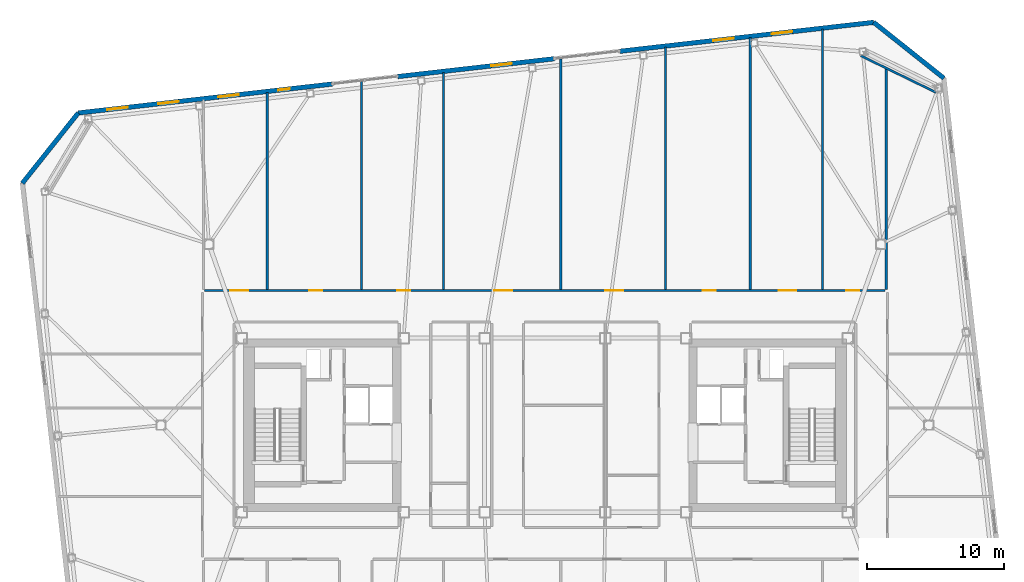
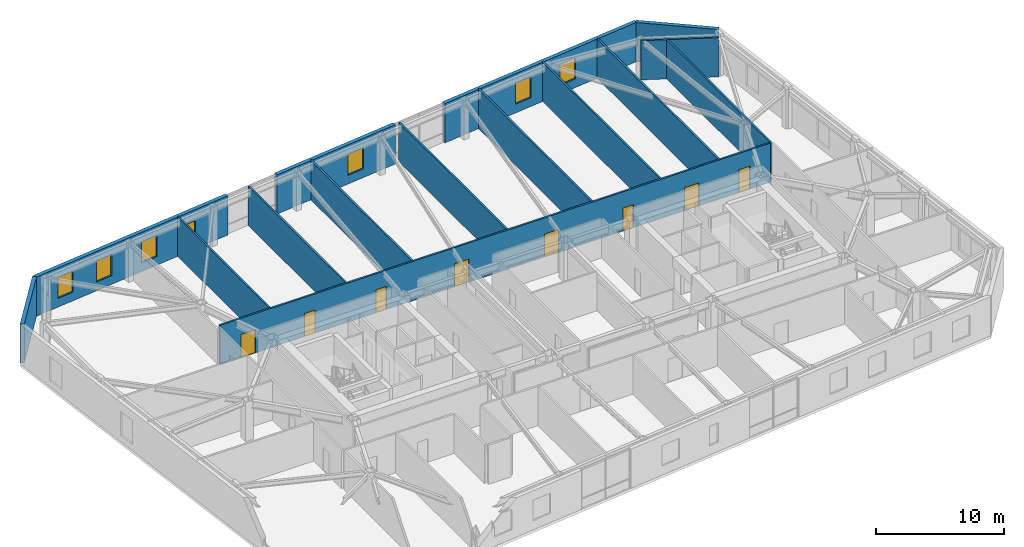
# One storey, part 15 of 19: 15 walls, 8 doors, 7 windows, 15 openings.
"""IFC4 building model written with IfcOpenShell, lengths in metres."""

from ifc_helpers import new_model, si_unit, direction, frame, frame_2d, origin, place, context, subcontext, project, spatial, rectangle, extrude, material, layer, layer_set, type_object, element, fill, save


model = new_model("IFC4")

# Units and contexts
model_context = context("Model", 3, precision=1e-05, world=origin(), true_north=direction((0.0, 1.0)))
body_context = subcontext(model_context, "Body", "Model", "MODEL_VIEW")
ifc_project = project(units=[si_unit("LENGTHUNIT", "METRE"), si_unit("AREAUNIT", "SQUARE_METRE"), si_unit("VOLUMEUNIT", "CUBIC_METRE"), si_unit("PLANEANGLEUNIT", "RADIAN"), si_unit("MASSUNIT", "GRAM", prefix="KILO")], contexts=[model_context])

# Site, building, storey
site_placement = place(None, origin())
site = spatial("IfcSite", under=ifc_project, at=site_placement, CompositionType="ELEMENT")
building_placement = place(site_placement, origin())
building = spatial("IfcBuilding", under=site, at=building_placement, Name="Tavrogorsk Clinical Tower", CompositionType="ELEMENT")
storey_placement = place(building_placement, frame((0.0, 0.0, 255.0)))
storey = spatial("IfcBuildingStorey", under=building, at=storey_placement, Name="L59", CompositionType="ELEMENT", Elevation=255.0)

# Wall
ifc_material_1 = material(Name="Lightweight concrete blockwork B15", Category="masonry")
ifc_layer_1 = layer(ifc_material_1, 0.159912109375)
ifc_layer_set_1 = layer_set([ifc_layer_1], Name="Lightweight concrete blockwork B15")
wall_type_1 = type_object("IfcWallType", Name="PartitionWall_160", PredefinedType="PARTITIONING", material=ifc_layer_set_1)
wall_1_placement = place(storey_placement, frame((28.5283203125, 24.27099609375, 0.0), z_axis=(0.0, 0.0, 1.0), x_axis=(-0.898820692789, 0.438316509173, 0.0)))
element("IfcWall", 1, at=wall_1_placement, inside=storey, type_object=wall_type_1, Name="L59 Corner Exoskeleton Brace Furring Wall 2", PredefinedType="PARTITIONING", context=body_context, shape_type="SweptSolid", body=[
    extrude(rectangle(XDim=6.10693359375, YDim=0.159912109375, at=frame_2d((3.053466796875, 0.0))), origin(), (0.0, 0.0, 1.0), 3.739990234375),
])

# Wall, openings, doors
wall_2_placement = place(storey_placement, frame((-24.81494140625, 9.830078125, 0.0), z_axis=(0.0, 0.0, 1.0), x_axis=(1.0, 0.0, 0.0)))
wall_2 = element("IfcWall", 2, at=wall_2_placement, inside=storey, type_object=wall_type_1, Name="L59 Corridor Partition 02", PredefinedType="PARTITIONING", context=body_context, shape_type="SweptSolid", body=[
    extrude(rectangle(XDim=49.6298828125, YDim=0.159912109375, at=frame_2d((24.81494140625, 0.0))), origin(), (0.0, 0.0, 1.0), 3.739990234375),
])
opening_1_placement = place(wall_2_placement, frame((1.869140625, 0.0, 0.0)))
opening_1 = element("IfcOpeningElement", 3, at=opening_1_placement, cuts=wall_2, Name="Opening ID-01", PredefinedType="OPENING", context=body_context, shape_type="SweptSolid", body=[
    extrude(rectangle(XDim=1.300048828125, YDim=2.199951171875, at=frame_2d((0.64990234375, 1.10009765625))), frame((0.0, 0.08984375, 0.0), z_axis=(0.0, -1.0, 0.0), x_axis=(1.0, 0.0, 0.0)), (0.0, 0.0, 1.0), 0.179931640625),
])
opening_2_placement = place(wall_2_placement, frame((7.612548828125, 0.0, 0.0)))
opening_2 = element("IfcOpeningElement", 4, at=opening_2_placement, cuts=wall_2, Name="Opening ID-02", PredefinedType="OPENING", context=body_context, shape_type="SweptSolid", body=[
    extrude(rectangle(XDim=0.949951171875, YDim=2.199951171875, at=frame_2d((0.47509765625, 1.10009765625))), frame((0.0, 0.08984375, 0.0), z_axis=(0.0, -1.0, 0.0), x_axis=(1.0, 0.0, 0.0)), (0.0, 0.0, 1.0), 0.179931640625),
])
opening_3_placement = place(wall_2_placement, frame((14.03759765625, 0.0, 0.0)))
opening_3 = element("IfcOpeningElement", 5, at=opening_3_placement, cuts=wall_2, Name="Opening ID-02", PredefinedType="OPENING", context=body_context, shape_type="SweptSolid", body=[
    extrude(rectangle(XDim=0.949951171875, YDim=2.199951171875, at=frame_2d((0.47509765625, 1.10009765625))), frame((0.0, 0.08984375, 0.0), z_axis=(0.0, -1.0, 0.0), x_axis=(1.0, 0.0, 0.0)), (0.0, 0.0, 1.0), 0.179931640625),
])
opening_4_placement = place(wall_2_placement, frame((21.125, 0.0, 0.0)))
opening_4 = element("IfcOpeningElement", 6, at=opening_4_placement, cuts=wall_2, Name="Opening ID-01", PredefinedType="OPENING", context=body_context, shape_type="SweptSolid", body=[
    extrude(rectangle(XDim=1.300048828125, YDim=2.199951171875, at=frame_2d((0.64990234375, 1.10009765625))), frame((0.0, 0.08984375, 0.0), z_axis=(0.0, -1.0, 0.0), x_axis=(1.0, 0.0, 0.0)), (0.0, 0.0, 1.0), 0.179931640625),
])
opening_5_placement = place(wall_2_placement, frame((29.22509765625, 0.0, 0.0)))
opening_5 = element("IfcOpeningElement", 7, at=opening_5_placement, cuts=wall_2, Name="Opening ID-01", PredefinedType="OPENING", context=body_context, shape_type="SweptSolid", body=[
    extrude(rectangle(XDim=1.300048828125, YDim=2.199951171875, at=frame_2d((0.64990234375, 1.10009765625))), frame((0.0, 0.08984375, 0.0), z_axis=(0.0, -1.0, 0.0), x_axis=(1.0, 0.0, 0.0)), (0.0, 0.0, 1.0), 0.179931640625),
])
opening_6_placement = place(wall_2_placement, frame((36.3125, 0.0, 0.0)))
opening_6 = element("IfcOpeningElement", 8, at=opening_6_placement, cuts=wall_2, Name="Opening ID-02", PredefinedType="OPENING", context=body_context, shape_type="SweptSolid", body=[
    extrude(rectangle(XDim=0.949951171875, YDim=2.199951171875, at=frame_2d((0.47509765625, 1.10009765625))), frame((0.0, 0.08984375, 0.0), z_axis=(0.0, -1.0, 0.0), x_axis=(1.0, 0.0, 0.0)), (0.0, 0.0, 1.0), 0.179931640625),
])
opening_7_placement = place(wall_2_placement, frame((41.862548828125, 0.0, 0.0)))
opening_7 = element("IfcOpeningElement", 9, at=opening_7_placement, cuts=wall_2, Name="Opening ID-01", PredefinedType="OPENING", context=body_context, shape_type="SweptSolid", body=[
    extrude(rectangle(XDim=1.300048828125, YDim=2.199951171875, at=frame_2d((0.64990234375, 1.10009765625))), frame((0.0, 0.08984375, 0.0), z_axis=(0.0, -1.0, 0.0), x_axis=(1.0, 0.0, 0.0)), (0.0, 0.0, 1.0), 0.179931640625),
])
opening_8_placement = place(wall_2_placement, frame((46.805908203125, 0.0, 0.0)))
opening_8 = element("IfcOpeningElement", 10, at=opening_8_placement, cuts=wall_2, Name="Opening ID-02", PredefinedType="OPENING", context=body_context, shape_type="SweptSolid", body=[
    extrude(rectangle(XDim=0.949951171875, YDim=2.199951171875, at=frame_2d((0.47509765625, 1.10009765625))), frame((0.0, 0.08984375, 0.0), z_axis=(0.0, -1.0, 0.0), x_axis=(1.0, 0.0, 0.0)), (0.0, 0.0, 1.0), 0.179931640625),
])
ifc_material_2 = material(Name="Laminated timber leaf on aluminium frame", Category="wood")
door_type_1 = type_object("IfcDoorType", Name="InteriorDoor_ID02_950", OperationType="NOTDEFINED", PredefinedType="DOOR", material=ifc_material_2)
door_1_placement = place(opening_2_placement, origin())
door_1 = element("IfcDoor", 11, at=door_1_placement, inside=storey, type_object=door_type_1, Name="L59 North Multidisciplinary Case Room 02A Door", OperationType="SINGLE_SWING_RIGHT", OverallHeight=2.199951171875, OverallWidth=0.949951171875, PredefinedType="DOOR", context=body_context, shape_type="SweptSolid", body=[
    extrude(rectangle(XDim=0.949951171875, YDim=2.199951171875, at=frame_2d((0.47509765625, 1.10009765625))), frame((0.0, 0.02490234375, 0.0), z_axis=(0.0, -1.0, 0.0), x_axis=(1.0, 0.0, 0.0)), (0.0, 0.0, 1.0), 0.050048828125),
])
fill(opening_2, door_1)
door_2_placement = place(opening_3_placement, origin())
door_2 = element("IfcDoor", 12, at=door_2_placement, inside=storey, type_object=door_type_1, Name="L59 North Patient & Family Quiet Lounge 02B Door", OperationType="SINGLE_SWING_LEFT", OverallHeight=2.199951171875, OverallWidth=0.949951171875, PredefinedType="DOOR", context=body_context, shape_type="SweptSolid", body=[
    extrude(rectangle(XDim=0.949951171875, YDim=2.199951171875, at=frame_2d((0.47509765625, 1.10009765625))), frame((0.0, 0.02490234375, 0.0), z_axis=(0.0, -1.0, 0.0), x_axis=(1.0, 0.0, 0.0)), (0.0, 0.0, 1.0), 0.050048828125),
])
fill(opening_3, door_2)
door_3_placement = place(opening_6_placement, origin())
door_3 = element("IfcDoor", 13, at=door_3_placement, inside=storey, type_object=door_type_1, Name="L59 North Clinical Examination Suite 04A Door", OperationType="SINGLE_SWING_RIGHT", OverallHeight=2.199951171875, OverallWidth=0.949951171875, PredefinedType="DOOR", context=body_context, shape_type="SweptSolid", body=[
    extrude(rectangle(XDim=0.949951171875, YDim=2.199951171875, at=frame_2d((0.47509765625, 1.10009765625))), frame((0.0, 0.02490234375, 0.0), z_axis=(0.0, -1.0, 0.0), x_axis=(1.0, 0.0, 0.0)), (0.0, 0.0, 1.0), 0.050048828125),
])
fill(opening_6, door_3)
door_4_placement = place(opening_8_placement, origin())
door_4 = element("IfcDoor", 14, at=door_4_placement, inside=storey, type_object=door_type_1, Name="L59 North Diagnostic Ultrasound Suite 05 Door", OperationType="SINGLE_SWING_RIGHT", OverallHeight=2.199951171875, OverallWidth=0.949951171875, PredefinedType="DOOR", context=body_context, shape_type="SweptSolid", body=[
    extrude(rectangle(XDim=0.949951171875, YDim=2.199951171875, at=frame_2d((0.47509765625, 1.10009765625))), frame((0.0, 0.02490234375, 0.0), z_axis=(0.0, -1.0, 0.0), x_axis=(1.0, 0.0, 0.0)), (0.0, 0.0, 1.0), 0.050048828125),
])
fill(opening_8, door_4)
ifc_material_3 = material(Name="Antibacterial HPL medical leaf on aluminium frame", Category="aluminium")
door_type_2 = type_object("IfcDoorType", Name="WardBedDoor_ID01_1300", OperationType="NOTDEFINED", PredefinedType="DOOR", material=ifc_material_3)
door_5_placement = place(opening_1_placement, origin())
door_5 = element("IfcDoor", 15, at=door_5_placement, inside=storey, type_object=door_type_2, Name="L59 North Sub-Acute Recovery Ward 01 Door", OperationType="SINGLE_SWING_LEFT", OverallHeight=2.199951171875, OverallWidth=1.300048828125, PredefinedType="DOOR", context=body_context, shape_type="SweptSolid", body=[
    extrude(rectangle(XDim=1.300048828125, YDim=2.199951171875, at=frame_2d((0.64990234375, 1.10009765625))), frame((0.0, 0.02490234375, 0.0), z_axis=(0.0, -1.0, 0.0), x_axis=(1.0, 0.0, 0.0)), (0.0, 0.0, 1.0), 0.050048828125),
])
fill(opening_1, door_5)
door_6_placement = place(opening_4_placement, origin())
door_6 = element("IfcDoor", 16, at=door_6_placement, inside=storey, type_object=door_type_2, Name="L59 North Inpatient Clinical Ward 03A Door", OperationType="SINGLE_SWING_RIGHT", OverallHeight=2.199951171875, OverallWidth=1.300048828125, PredefinedType="DOOR", context=body_context, shape_type="SweptSolid", body=[
    extrude(rectangle(XDim=1.300048828125, YDim=2.199951171875, at=frame_2d((0.64990234375, 1.10009765625))), frame((0.0, 0.02490234375, 0.0), z_axis=(0.0, -1.0, 0.0), x_axis=(1.0, 0.0, 0.0)), (0.0, 0.0, 1.0), 0.050048828125),
])
fill(opening_4, door_6)
door_7_placement = place(opening_5_placement, origin())
door_7 = element("IfcDoor", 17, at=door_7_placement, inside=storey, type_object=door_type_2, Name="L59 North Acute Isolation Suite 03B Door", OperationType="SINGLE_SWING_LEFT", OverallHeight=2.199951171875, OverallWidth=1.300048828125, PredefinedType="DOOR", context=body_context, shape_type="SweptSolid", body=[
    extrude(rectangle(XDim=1.300048828125, YDim=2.199951171875, at=frame_2d((0.64990234375, 1.10009765625))), frame((0.0, 0.02490234375, 0.0), z_axis=(0.0, -1.0, 0.0), x_axis=(1.0, 0.0, 0.0)), (0.0, 0.0, 1.0), 0.050048828125),
])
fill(opening_5, door_7)
door_8_placement = place(opening_7_placement, origin())
door_8 = element("IfcDoor", 18, at=door_8_placement, inside=storey, type_object=door_type_2, Name="L59 North Sub-Acute Recovery Ward 04B Door", OperationType="SINGLE_SWING_LEFT", OverallHeight=2.199951171875, OverallWidth=1.300048828125, PredefinedType="DOOR", context=body_context, shape_type="SweptSolid", body=[
    extrude(rectangle(XDim=1.300048828125, YDim=2.199951171875, at=frame_2d((0.64990234375, 1.10009765625))), frame((0.0, 0.02490234375, 0.0), z_axis=(0.0, -1.0, 0.0), x_axis=(1.0, 0.0, 0.0)), (0.0, 0.0, 1.0), 0.050048828125),
])
fill(opening_7, door_8)

# Walls
wall_3_placement = place(storey_placement, frame((24.89990234375, 9.9150390625, 0.0), z_axis=(0.0, 0.0, 1.0), x_axis=(0.0, 1.0, 0.0)))
element("IfcWall", 19, at=wall_3_placement, inside=storey, type_object=wall_type_1, Name="L59 NE Wing Closure Partition", PredefinedType="PARTITIONING", context=body_context, shape_type="SweptSolid", body=[
    extrude(rectangle(XDim=16.12939453125, YDim=0.159912109375, at=frame_2d((8.064697265625, 0.0))), origin(), (0.0, 0.0, 1.0), 3.739990234375),
])
wall_4_placement = place(storey_placement, frame((-20.25, 9.9150390625, 0.0), z_axis=(0.0, 0.0, 1.0), x_axis=(0.0, 1.0, 0.0)))
element("IfcWall", 20, at=wall_4_placement, inside=storey, type_object=wall_type_1, Name="L59 North Room Partition 1", PredefinedType="PARTITIONING", context=body_context, shape_type="SweptSolid", body=[
    extrude(rectangle(XDim=14.361083984375, YDim=0.159912109375, at=frame_2d((7.1806640625, 0.0))), origin(), (0.0, 0.0, 1.0), 3.739990234375),
])
wall_5_placement = place(storey_placement, frame((-7.39990234375, 9.9150390625, 0.0), z_axis=(0.0, 0.0, 1.0), x_axis=(0.0, 1.0, 0.0)))
element("IfcWall", 21, at=wall_5_placement, inside=storey, type_object=wall_type_1, Name="L59 North Room Partition 2", PredefinedType="PARTITIONING", context=body_context, shape_type="SweptSolid", body=[
    extrude(rectangle(XDim=15.8251953125, YDim=0.159912109375, at=frame_2d((7.91259765625, 0.0))), origin(), (0.0, 0.0, 1.0), 3.739990234375),
])
wall_6_placement = place(storey_placement, frame((8.800048828125, 9.9150390625, 0.0), z_axis=(0.0, 0.0, 1.0), x_axis=(0.0, 1.0, 0.0)))
element("IfcWall", 22, at=wall_6_placement, inside=storey, type_object=wall_type_1, Name="L59 North Room Partition 3", PredefinedType="PARTITIONING", context=body_context, shape_type="SweptSolid", body=[
    extrude(rectangle(XDim=17.6708984375, YDim=0.159912109375, at=frame_2d((8.83544921875, 0.0))), origin(), (0.0, 0.0, 1.0), 3.739990234375),
])
wall_7_placement = place(storey_placement, frame((20.25, 9.9150390625, 0.0), z_axis=(0.0, 0.0, 1.0), x_axis=(0.0, 1.0, 0.0)))
element("IfcWall", 23, at=wall_7_placement, inside=storey, type_object=wall_type_1, Name="L59 North Room Partition 4", PredefinedType="PARTITIONING", context=body_context, shape_type="SweptSolid", body=[
    extrude(rectangle(XDim=18.975341796875, YDim=0.159912109375, at=frame_2d((9.48779296875, 0.0))), origin(), (0.0, 0.0, 1.0), 3.739990234375),
])
wall_8_placement = place(storey_placement, frame((-13.375, 9.9150390625, 0.0), z_axis=(0.0, 0.0, 1.0), x_axis=(0.0, 1.0, 0.0)))
element("IfcWall", 24, at=wall_8_placement, inside=storey, type_object=wall_type_1, Name="L59 North Sub-Partition 2", PredefinedType="PARTITIONING", context=body_context, shape_type="SweptSolid", body=[
    extrude(rectangle(XDim=15.144287109375, YDim=0.159912109375, at=frame_2d((7.572265625, 0.0))), origin(), (0.0, 0.0, 1.0), 3.739990234375),
])
wall_9_placement = place(storey_placement, frame((1.14990234375, 9.9150390625, 0.0), z_axis=(0.0, 0.0, 1.0), x_axis=(0.0, 1.0, 0.0)))
element("IfcWall", 25, at=wall_9_placement, inside=storey, type_object=wall_type_1, Name="L59 North Sub-Partition 3", PredefinedType="PARTITIONING", context=body_context, shape_type="SweptSolid", body=[
    extrude(rectangle(XDim=16.79931640625, YDim=0.159912109375, at=frame_2d((8.399658203125, 0.0))), origin(), (0.0, 0.0, 1.0), 3.739990234375),
])
wall_10_placement = place(storey_placement, frame((14.97509765625, 9.9150390625, 0.0), z_axis=(0.0, 0.0, 1.0), x_axis=(0.0, 1.0, 0.0)))
element("IfcWall", 26, at=wall_10_placement, inside=storey, type_object=wall_type_1, Name="L59 North Sub-Partition 4", PredefinedType="PARTITIONING", context=body_context, shape_type="SweptSolid", body=[
    extrude(rectangle(XDim=18.37451171875, YDim=0.159912109375, at=frame_2d((9.187255859375, 0.0))), origin(), (0.0, 0.0, 1.0), 3.739990234375),
])

# Wall, openings, windows
ifc_material_4 = material(Name="Precast concrete B45 with limestone cladding", Category="masonry")
ifc_layer_2 = layer(ifc_material_4, 0.340087890625)
ifc_layer_set_2 = layer_set([ifc_layer_2], Name="Precast concrete B45 with limestone cladding")
wall_type_2 = type_object("IfcWallType", Name="PrecastLimestoneWall_340", PredefinedType="STANDARD", material=ifc_layer_set_2)
wall_11_placement = place(storey_placement, frame((23.982666015625, 29.38623046875, 0.0), z_axis=(0.0, 0.0, 1.0), x_axis=(-0.993572271362, -0.113199565282, 0.0)))
wall_11 = element("IfcWall", 27, at=wall_11_placement, inside=storey, type_object=wall_type_2, Name="L59 N Limestone Facade Wall 1", PredefinedType="STANDARD", context=body_context, shape_type="SweptSolid", body=[
    extrude(rectangle(XDim=18.6513671875, YDim=0.340087890625, at=frame_2d((9.32568359375, 0.0))), origin(), (0.0, 0.0, 1.0), 3.739990234375),
])
opening_9_placement = place(wall_11_placement, frame((10.27880859375, 0.0, 0.830078125)))
opening_9 = element("IfcOpeningElement", 28, at=opening_9_placement, cuts=wall_11, Name="Opening WN-05", PredefinedType="OPENING", context=body_context, shape_type="SweptSolid", body=[
    extrude(rectangle(XDim=1.5, YDim=2.0, at=frame_2d((0.75, 1.0))), frame((0.0, 0.179931640625, 0.0), z_axis=(0.0, -1.0, 0.0), x_axis=(1.0, 0.0, 0.0)), (0.0, 0.0, 1.0), 0.360107421875),
])
opening_10_placement = place(wall_11_placement, frame((5.97314453125, 0.0, 0.830078125)))
opening_10 = element("IfcOpeningElement", 29, at=opening_10_placement, cuts=wall_11, Name="Opening WN-05", PredefinedType="OPENING", context=body_context, shape_type="SweptSolid", body=[
    extrude(rectangle(XDim=1.5, YDim=2.0, at=frame_2d((0.75, 1.0))), frame((0.0, 0.179931640625, 0.0), z_axis=(0.0, -1.0, 0.0), x_axis=(1.0, 0.0, 0.0)), (0.0, 0.0, 1.0), 0.360107421875),
])
ifc_material_5 = material(Name="Thermally broken aluminium frame and triple IGU", Category="aluminium")
window_type_1 = type_object("IfcWindowType", Name="ConsultWin_1500x2000", PartitioningType="SINGLE_PANEL", PredefinedType="WINDOW", material=ifc_material_5)
window_1_placement = place(opening_9_placement, origin())
window_1 = element("IfcWindow", 30, at=window_1_placement, inside=storey, type_object=window_type_1, Name="L59 N Chicago Window 08", OverallHeight=2.0, OverallWidth=1.5, PartitioningType="SINGLE_PANEL", PredefinedType="WINDOW", context=body_context, shape_type="SweptSolid", body=[
    extrude(rectangle(XDim=1.5, YDim=2.0, at=frame_2d((0.75, 1.0))), frame((0.0, 0.030029296875, 0.0), z_axis=(0.0, -1.0, 0.0), x_axis=(1.0, 0.0, 0.0)), (0.0, 0.0, 1.0), 0.06005859375),
])
fill(opening_9, window_1)
window_2_placement = place(opening_10_placement, origin())
window_2 = element("IfcWindow", 31, at=window_2_placement, inside=storey, type_object=window_type_1, Name="L59 N Chicago Window 09", OverallHeight=2.0, OverallWidth=1.5, PartitioningType="SINGLE_PANEL", PredefinedType="WINDOW", context=body_context, shape_type="SweptSolid", body=[
    extrude(rectangle(XDim=1.5, YDim=2.0, at=frame_2d((0.75, 1.0))), frame((0.0, 0.030029296875, 0.0), z_axis=(0.0, -1.0, 0.0), x_axis=(1.0, 0.0, 0.0)), (0.0, 0.0, 1.0), 0.06005859375),
])
fill(opening_10, window_2)

# Wall, opening, window
wall_12_placement = place(storey_placement, frame((0.681884765625, 26.7314453125, 0.0), z_axis=(0.0, 0.0, 1.0), x_axis=(-0.993571968199, -0.113202226169, 0.0)))
wall_12 = element("IfcWall", 32, at=wall_12_placement, inside=storey, type_object=wall_type_2, Name="L59 N Limestone Facade Wall 2", PredefinedType="STANDARD", context=body_context, shape_type="SweptSolid", body=[
    extrude(rectangle(XDim=11.497314453125, YDim=0.340087890625, at=frame_2d((5.74853515625, 0.0))), origin(), (0.0, 0.0, 1.0), 3.739990234375),
])
opening_11_placement = place(wall_12_placement, frame((3.12451171875, 0.0, 0.830078125)))
opening_11 = element("IfcOpeningElement", 33, at=opening_11_placement, cuts=wall_12, Name="Opening WN-05", PredefinedType="OPENING", context=body_context, shape_type="SweptSolid", body=[
    extrude(rectangle(XDim=1.5, YDim=2.0, at=frame_2d((0.75, 1.0))), frame((0.0, 0.179931640625, 0.0), z_axis=(0.0, -1.0, 0.0), x_axis=(1.0, 0.0, 0.0)), (0.0, 0.0, 1.0), 0.360107421875),
])
window_3_placement = place(opening_11_placement, origin())
window_3 = element("IfcWindow", 34, at=window_3_placement, inside=storey, type_object=window_type_1, Name="L59 N Chicago Window 06", OverallHeight=2.0, OverallWidth=1.5, PartitioningType="SINGLE_PANEL", PredefinedType="WINDOW", context=body_context, shape_type="SweptSolid", body=[
    extrude(rectangle(XDim=1.5, YDim=2.0, at=frame_2d((0.75, 1.0))), frame((0.0, 0.030029296875, 0.0), z_axis=(0.0, -1.0, 0.0), x_axis=(1.0, 0.0, 0.0)), (0.0, 0.0, 1.0), 0.06005859375),
])
fill(opening_11, window_3)

# Wall, openings, windows
wall_13_placement = place(storey_placement, frame((-15.510498046875, 24.886474609375, 0.0), z_axis=(0.0, 0.0, 1.0), x_axis=(-0.993572271362, -0.113199565282, 0.0)))
wall_13 = element("IfcWall", 35, at=wall_13_placement, inside=storey, type_object=wall_type_2, Name="L59 N Limestone Facade Wall 3", PredefinedType="STANDARD", context=body_context, shape_type="SweptSolid", body=[
    extrude(rectangle(XDim=18.6513671875, YDim=0.340087890625, at=frame_2d((9.32568359375, 0.0))), origin(), (0.0, 0.0, 1.0), 3.739990234375),
])
opening_12_placement = place(wall_13_placement, frame((15.021240234375, 0.0, 0.830078125)))
opening_12 = element("IfcOpeningElement", 36, at=opening_12_placement, cuts=wall_13, Name="Opening WN-05", PredefinedType="OPENING", context=body_context, shape_type="SweptSolid", body=[
    extrude(rectangle(XDim=1.5, YDim=2.0, at=frame_2d((0.75, 1.0))), frame((0.0, 0.179931640625, 0.0), z_axis=(0.0, -1.0, 0.0), x_axis=(1.0, 0.0, 0.0)), (0.0, 0.0, 1.0), 0.360107421875),
])
opening_13_placement = place(wall_13_placement, frame((11.27294921875, 0.0, 0.830078125)))
opening_13 = element("IfcOpeningElement", 37, at=opening_13_placement, cuts=wall_13, Name="Opening WN-05", PredefinedType="OPENING", context=body_context, shape_type="SweptSolid", body=[
    extrude(rectangle(XDim=1.5, YDim=2.0, at=frame_2d((0.75, 1.0))), frame((0.0, 0.179931640625, 0.0), z_axis=(0.0, -1.0, 0.0), x_axis=(1.0, 0.0, 0.0)), (0.0, 0.0, 1.0), 0.360107421875),
])
opening_14_placement = place(wall_13_placement, frame((6.872802734375, 0.0, 0.830078125)))
opening_14 = element("IfcOpeningElement", 38, at=opening_14_placement, cuts=wall_13, Name="Opening WN-05", PredefinedType="OPENING", context=body_context, shape_type="SweptSolid", body=[
    extrude(rectangle(XDim=1.5, YDim=2.0, at=frame_2d((0.75, 1.0))), frame((0.0, 0.179931640625, 0.0), z_axis=(0.0, -1.0, 0.0), x_axis=(1.0, 0.0, 0.0)), (0.0, 0.0, 1.0), 0.360107421875),
])
opening_15_placement = place(wall_13_placement, frame((3.12451171875, 0.0, 0.830078125)))
opening_15 = element("IfcOpeningElement", 39, at=opening_15_placement, cuts=wall_13, Name="Opening WN-06", PredefinedType="OPENING", context=body_context, shape_type="SweptSolid", body=[
    extrude(rectangle(XDim=0.85009765625, YDim=1.85009765625, at=frame_2d((0.425048828125, 0.925048828125))), frame((0.0, 0.179931640625, 0.0), z_axis=(0.0, -1.0, 0.0), x_axis=(1.0, 0.0, 0.0)), (0.0, 0.0, 1.0), 0.360107421875),
])
window_4_placement = place(opening_12_placement, origin())
window_4 = element("IfcWindow", 40, at=window_4_placement, inside=storey, type_object=window_type_1, Name="L59 N Chicago Window 01", OverallHeight=2.0, OverallWidth=1.5, PartitioningType="SINGLE_PANEL", PredefinedType="WINDOW", context=body_context, shape_type="SweptSolid", body=[
    extrude(rectangle(XDim=1.5, YDim=2.0, at=frame_2d((0.75, 1.0))), frame((0.0, 0.030029296875, 0.0), z_axis=(0.0, -1.0, 0.0), x_axis=(1.0, 0.0, 0.0)), (0.0, 0.0, 1.0), 0.06005859375),
])
fill(opening_12, window_4)
window_5_placement = place(opening_13_placement, origin())
window_5 = element("IfcWindow", 41, at=window_5_placement, inside=storey, type_object=window_type_1, Name="L59 N Chicago Window 02", OverallHeight=2.0, OverallWidth=1.5, PartitioningType="SINGLE_PANEL", PredefinedType="WINDOW", context=body_context, shape_type="SweptSolid", body=[
    extrude(rectangle(XDim=1.5, YDim=2.0, at=frame_2d((0.75, 1.0))), frame((0.0, 0.030029296875, 0.0), z_axis=(0.0, -1.0, 0.0), x_axis=(1.0, 0.0, 0.0)), (0.0, 0.0, 1.0), 0.06005859375),
])
fill(opening_13, window_5)
window_6_placement = place(opening_14_placement, origin())
window_6 = element("IfcWindow", 42, at=window_6_placement, inside=storey, type_object=window_type_1, Name="L59 N Chicago Window 03", OverallHeight=2.0, OverallWidth=1.5, PartitioningType="SINGLE_PANEL", PredefinedType="WINDOW", context=body_context, shape_type="SweptSolid", body=[
    extrude(rectangle(XDim=1.5, YDim=2.0, at=frame_2d((0.75, 1.0))), frame((0.0, 0.030029296875, 0.0), z_axis=(0.0, -1.0, 0.0), x_axis=(1.0, 0.0, 0.0)), (0.0, 0.0, 1.0), 0.06005859375),
])
fill(opening_14, window_6)
ifc_material_6 = material(Name="Thermally broken aluminium frame and triple IGU", Category="aluminium")
window_type_2 = type_object("IfcWindowType", Name="MullionSubWin_850x1850", PartitioningType="SINGLE_PANEL", PredefinedType="WINDOW", material=ifc_material_6)
window_7_placement = place(opening_15_placement, origin())
window_7 = element("IfcWindow", 43, at=window_7_placement, inside=storey, type_object=window_type_2, Name="L59 N Mullion Split Window 04A", OverallHeight=1.85009765625, OverallWidth=0.85009765625, PartitioningType="SINGLE_PANEL", PredefinedType="WINDOW", context=body_context, shape_type="SweptSolid", body=[
    extrude(rectangle(XDim=0.85009765625, YDim=1.85009765625, at=frame_2d((0.425048828125, 0.925048828125))), frame((0.0, 0.030029296875, 0.0), z_axis=(0.0, -1.0, 0.0), x_axis=(1.0, 0.0, 0.0)), (0.0, 0.0, 1.0), 0.06005859375),
])
fill(opening_15, window_7)

# Walls
for number, where, z_axis, x_axis, name in (
    (44, (29.10693359375, 25.31005859375, 0.0), (0.0, 0.0, 1.0), (-0.78259733853, 0.62252823689, 0.0), "L59 Chamfered Corner Wall 2"),
    (45, (-34.0419921875, 22.775146484375, 0.0), (0.0, 0.0, 1.0), (-0.62252823689, -0.78259733853, 0.0), "L59 Chamfered Corner Wall 3"),
):
    element("IfcWall", number, at=place(storey_placement, frame(where, z_axis=z_axis, x_axis=x_axis)), inside=storey, type_object=wall_type_2, Name=name, PredefinedType="STANDARD", context=body_context, shape_type="SweptSolid", body=[
        extrude(rectangle(XDim=6.5478515625, YDim=0.340087890625, at=frame_2d((3.27392578125, 0.0))), origin(), (0.0, 0.0, 1.0), 3.739990234375),
    ])

save(model, "model.ifc")
